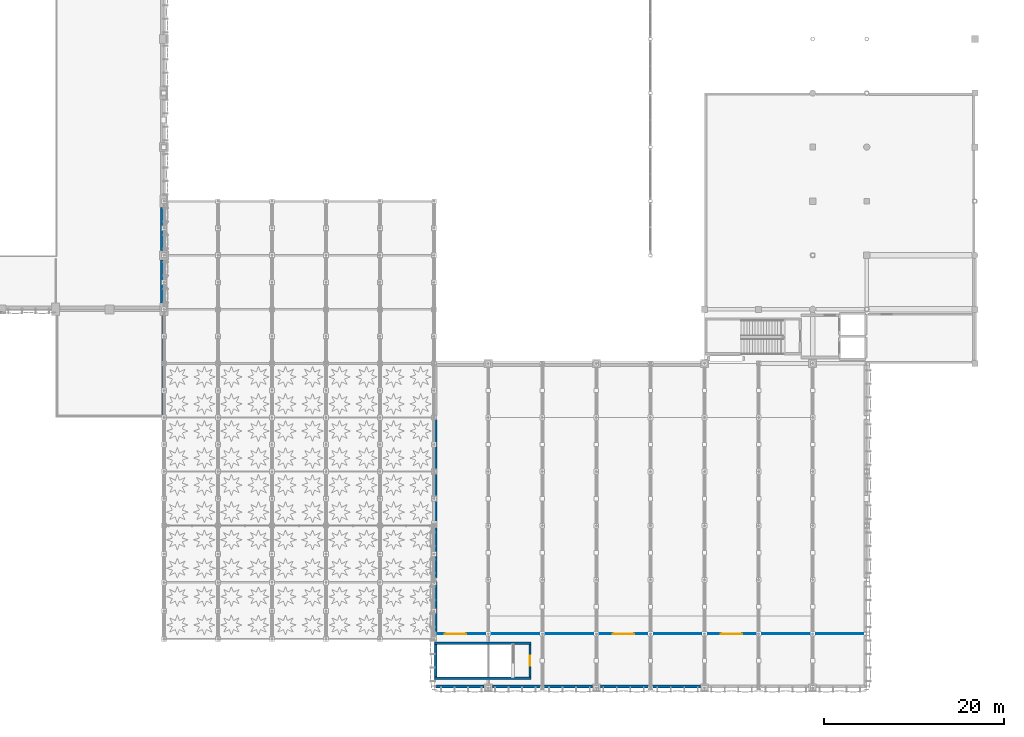
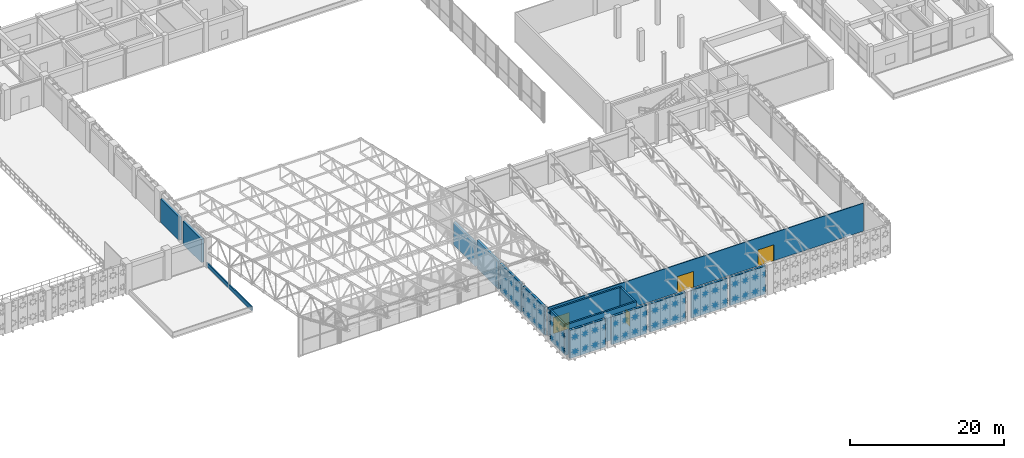
# One storey, part 96 of 123: 17 walls, 4 doors, 4 openings.
"""IFC4 building model written with IfcOpenShell, lengths in metres."""

from ifc_helpers import new_model, si_unit, direction, frame, frame_2d, origin, place, context, subcontext, project, spatial, rectangle, extrude, material, layer, layer_set, type_object, element, fill, save


model = new_model("IFC4")

# Units and contexts
model_context = context("Model", 3, precision=1e-05, world=origin(), true_north=direction((0.0, 1.0)))
body_context = subcontext(model_context, "Body", "Model", "MODEL_VIEW")
ifc_project = project(units=[si_unit("LENGTHUNIT", "METRE"), si_unit("AREAUNIT", "SQUARE_METRE"), si_unit("VOLUMEUNIT", "CUBIC_METRE"), si_unit("PLANEANGLEUNIT", "RADIAN"), si_unit("MASSUNIT", "GRAM", prefix="KILO"), si_unit("THERMODYNAMICTEMPERATUREUNIT", "KELVIN"), si_unit("POWERUNIT", "WATT")], contexts=[model_context])

# Site, building, storey
site_placement = place(None, origin())
site = spatial("IfcSite", under=ifc_project, at=site_placement, CompositionType="ELEMENT")
building_placement = place(site_placement, origin())
building = spatial("IfcBuilding", under=site, at=building_placement, Name="Phaisarnlok Congress Hotel", CompositionType="ELEMENT")
storey_placement = place(building_placement, frame((0.0, 0.0, 15.0)))
storey = spatial("IfcBuildingStorey", under=building, at=storey_placement, Name="L03", CompositionType="ELEMENT", Elevation=15.0)

# Walls
ifc_material_1 = material(Name="Concrete C40/50", Category="concrete")
ifc_layer_1 = layer(ifc_material_1, 0.320068359375, Name="Concrete C40/50")
ifc_layer_set_1 = layer_set([ifc_layer_1], Name="Concrete C40/50")
wall_type_1 = type_object("IfcWallType", Name="WL-EXT-320", PredefinedType="SOLIDWALL", material=ifc_layer_set_1)
for number, where, z_axis, x_axis, name in (
    (1, (96.2080078125, 0.159912109375, 0.0), (0.0, 0.0, 1.0), (1.0, 0.0, 0.0), "Exterior wall EW-02 (L03)"),
    (2, (102.455078125, 0.159912109375, 0.0), (0.0, 0.0, 1.0), (1.0, 0.0, 0.0), "Exterior wall EW-02 (L03)"),
    (3, (108.2080078125, 0.159912109375, 0.0), (0.0, 0.0, 1.0), (1.0, 0.0, 0.0), "Exterior wall EW-02 (L03)"),
    (4, (114.455078125, 0.159912109375, 0.0), (0.0, 0.0, 1.0), (1.0, 0.0, 0.0), "Exterior wall EW-02 (L03)"),
    (5, (120.2080078125, 0.159912109375, 0.0), (0.0, 0.0, 1.0), (1.0, 0.0, 0.0), "Exterior wall EW-02 (L03)"),
):
    element("IfcWall", number, at=place(storey_placement, frame(where, z_axis=z_axis, x_axis=x_axis)), inside=storey, type_object=wall_type_1, Name=name, PredefinedType="SOLIDWALL", context=body_context, shape_type="SweptSolid", body=[
        extrude(rectangle(XDim=5.3369140625, YDim=0.320068359375, at=frame_2d((2.66845703125, 0.0))), origin(), (0.0, 0.0, 1.0), 4.449951171875),
    ])
wall_1_placement = place(storey_placement, frame((96.159912109375, 29.787109375, 0.0), z_axis=(0.0, 0.0, 1.0), x_axis=(0.0, -1.0, 0.0)))
element("IfcWall", 6, at=wall_1_placement, inside=storey, type_object=wall_type_1, Name="Exterior wall EW-02 (L03)", PredefinedType="SOLIDWALL", context=body_context, shape_type="SweptSolid", body=[
    extrude(rectangle(XDim=5.57421875, YDim=0.320068359375, at=frame_2d((2.787109375, 0.0))), origin(), (0.0, 0.0, 1.0), 3.699951171875),
])
for number, where, z_axis, x_axis, name in (
    (7, (96.159912109375, 23.787109375, 0.0), (0.0, 0.0, 1.0), (0.0, -1.0, 0.0), "Exterior wall EW-02 (L03)"),
    (8, (96.159912109375, 17.787109375, 0.0), (0.0, 0.0, 1.0), (0.0, -1.0, 0.0), "Exterior wall EW-02 (L03)"),
    (9, (96.159912109375, 11.787109375, 0.0), (0.0, 0.0, 1.0), (0.0, -1.0, 0.0), "Exterior wall EW-02 (L03)"),
):
    element("IfcWall", number, at=place(storey_placement, frame(where, z_axis=z_axis, x_axis=x_axis)), inside=storey, type_object=wall_type_1, Name=name, PredefinedType="SOLIDWALL", context=body_context, shape_type="SweptSolid", body=[
        extrude(rectangle(XDim=5.57421875, YDim=0.320068359375, at=frame_2d((2.787109375, 0.0))), origin(), (0.0, 0.0, 1.0), 4.449951171875),
    ])
ifc_layer_2 = layer(ifc_material_1, 0.360107421875, Name="Concrete C40/50")
ifc_layer_set_2 = layer_set([ifc_layer_2], Name="Concrete C40/50")
wall_type_2 = type_object("IfcWallType", Name="WL-EXT-360", PredefinedType="SOLIDWALL", material=ifc_layer_set_2)
for number, where, z_axis, x_axis, name in (
    (10, (65.820068359375, 42.705078125, 0.0), (0.0, 0.0, 1.0), (0.0, 1.0, 0.0), "Exterior wall EW-01 (L03)"),
    (11, (65.820068359375, 48.5048828125, 0.0), (0.0, 0.0, 1.0), (0.0, 1.0, 0.0), "Exterior wall EW-01 (L03)"),
):
    element("IfcWall", number, at=place(storey_placement, frame(where, z_axis=z_axis, x_axis=x_axis)), inside=storey, type_object=wall_type_2, Name=name, PredefinedType="SOLIDWALL", context=body_context, shape_type="SweptSolid", body=[
        extrude(rectangle(XDim=4.7900390625, YDim=0.360107421875, at=frame_2d((2.39501953125, 0.0))), origin(), (0.0, 0.0, 1.0), 3.699951171875),
    ])

# Wall, openings, doors
ifc_material_2 = material(Name="Service Riser Shaftwall Partition", Category="gypsum")
ifc_layer_3 = layer(ifc_material_2, 0.10498046875, Name="Service Riser Shaftwall Partition")
ifc_layer_set_3 = layer_set([ifc_layer_3], Name="Service Riser Shaftwall Partition")
wall_type_3 = type_object("IfcWallType", Name="WL-INT-105", PredefinedType="PARTITIONING", material=ifc_layer_set_3)
wall_2_placement = place(storey_placement, frame((96.3701171875, 6.0, 0.0), z_axis=(0.0, 0.0, 1.0), x_axis=(1.0, 0.0, 0.0)))
wall_2 = element("IfcWall", 12, at=wall_2_placement, inside=storey, type_object=wall_type_3, Name="Interior partition wall IW-08 (L03)", PredefinedType="PARTITIONING", context=body_context, shape_type="SweptSolid", body=[
    extrude(rectangle(XDim=47.259765625, YDim=0.10498046875, at=frame_2d((23.6298828125, 0.0))), origin(), (0.0, 0.0, 1.0), 4.449951171875),
])
opening_1_placement = place(wall_2_placement, frame((19.429931640625, 0.0, 0.0)))
opening_1 = element("IfcOpeningElement", 13, at=opening_1_placement, cuts=wall_2, Name="Opening D-0110", PredefinedType="OPENING", context=body_context, shape_type="SweptSolid", body=[
    extrude(rectangle(XDim=2.39990234375, YDim=2.550048828125, at=frame_2d((1.199951171875, 1.27490234375))), frame((0.0, 0.0625, 0.0), z_axis=(0.0, -1.0, 0.0), x_axis=(1.0, 0.0, 0.0)), (0.0, 0.0, 1.0), 0.125),
])
opening_2_placement = place(wall_2_placement, frame((31.429931640625, 0.0, 0.0)))
opening_2 = element("IfcOpeningElement", 14, at=opening_2_placement, cuts=wall_2, Name="Opening D-0111", PredefinedType="OPENING", context=body_context, shape_type="SweptSolid", body=[
    extrude(rectangle(XDim=2.39990234375, YDim=2.550048828125, at=frame_2d((1.199951171875, 1.27490234375))), frame((0.0, 0.0625, 0.0), z_axis=(0.0, -1.0, 0.0), x_axis=(1.0, 0.0, 0.0)), (0.0, 0.0, 1.0), 0.125),
])
opening_3_placement = place(wall_2_placement, frame((0.800048828125, 0.0, 0.0)))
opening_3 = element("IfcOpeningElement", 15, at=opening_3_placement, cuts=wall_2, Name="Opening D-0125", PredefinedType="OPENING", context=body_context, shape_type="SweptSolid", body=[
    extrude(rectangle(XDim=2.39990234375, YDim=2.550048828125, at=frame_2d((1.199951171875, 1.27490234375))), frame((0.0, 0.0625, 0.0), z_axis=(0.0, -1.0, 0.0), x_axis=(1.0, 0.0, 0.0)), (0.0, 0.0, 1.0), 0.125),
])
ifc_material_3 = material(Name="Acoustic Ballroom Double Door", Category="wood")
door_type_1 = type_object("IfcDoorType", Name="DR-HALL-2400", OperationType="DOUBLE_DOOR_SINGLE_SWING", PredefinedType="DOOR", material=ifc_material_3)
door_1_placement = place(opening_1_placement, origin())
door_1 = element("IfcDoor", 16, at=door_1_placement, inside=storey, type_object=door_type_1, Name="Interior door D-0110 (L03)", OperationType="DOUBLE_DOOR_SINGLE_SWING", OverallHeight=2.550048828125, OverallWidth=2.39990234375, PredefinedType="DOOR", context=body_context, shape_type="SweptSolid", body=[
    extrude(rectangle(XDim=2.39990234375, YDim=2.550048828125, at=frame_2d((1.199951171875, 1.27490234375))), frame((0.0, 0.02490234375, 0.0), z_axis=(0.0, -1.0, 0.0), x_axis=(1.0, 0.0, 0.0)), (0.0, 0.0, 1.0), 0.050048828125),
])
fill(opening_1, door_1)
door_2_placement = place(opening_2_placement, origin())
door_2 = element("IfcDoor", 17, at=door_2_placement, inside=storey, type_object=door_type_1, Name="Interior door D-0111 (L03)", OperationType="DOUBLE_DOOR_SINGLE_SWING", OverallHeight=2.550048828125, OverallWidth=2.39990234375, PredefinedType="DOOR", context=body_context, shape_type="SweptSolid", body=[
    extrude(rectangle(XDim=2.39990234375, YDim=2.550048828125, at=frame_2d((1.199951171875, 1.27490234375))), frame((0.0, 0.02490234375, 0.0), z_axis=(0.0, -1.0, 0.0), x_axis=(1.0, 0.0, 0.0)), (0.0, 0.0, 1.0), 0.050048828125),
])
fill(opening_2, door_2)
door_3_placement = place(opening_3_placement, origin())
door_3 = element("IfcDoor", 18, at=door_3_placement, inside=storey, type_object=door_type_1, Name="Interior door D-0125 (L03)", OperationType="DOUBLE_DOOR_SINGLE_SWING", OverallHeight=2.550048828125, OverallWidth=2.39990234375, PredefinedType="DOOR", context=body_context, shape_type="SweptSolid", body=[
    extrude(rectangle(XDim=2.39990234375, YDim=2.550048828125, at=frame_2d((1.199951171875, 1.27490234375))), frame((0.0, 0.02490234375, 0.0), z_axis=(0.0, -1.0, 0.0), x_axis=(1.0, 0.0, 0.0)), (0.0, 0.0, 1.0), 0.050048828125),
])
fill(opening_3, door_3)

# Walls
ifc_layer_4 = layer(ifc_material_1, 0.169921875, Name="Concrete C40/50")
ifc_layer_set_4 = layer_set([ifc_layer_4], Name="Concrete C40/50")
wall_type_4 = type_object("IfcWallType", Name="WL-PAR-170", PredefinedType="PARAPET", material=ifc_layer_set_4)
wall_3_placement = place(storey_placement, frame((65.909912109375, 30.090087890625, 0.0), z_axis=(0.0, 0.0, 1.0), x_axis=(0.0, 1.0, 0.0)))
element("IfcWall", 19, at=wall_3_placement, inside=storey, type_object=wall_type_4, Name="Podium roof parapet WP-02 (L03)", PredefinedType="PARAPET", context=body_context, shape_type="SweptSolid", body=[
    extrude(rectangle(XDim=11.60986328125, YDim=0.169921875, at=frame_2d((5.804931640625, 0.0))), origin(), (0.0, 0.0, 1.0), 0.64990234375),
])
ifc_material_4 = material(Name="Concrete C50/60", Category="concrete")
ifc_layer_5 = layer(ifc_material_4, 0.260009765625, Name="Concrete C50/60")
ifc_layer_set_5 = layer_set([ifc_layer_5], Name="Concrete C50/60")
wall_type_5 = type_object("IfcWallType", Name="WL-SHR-260", PredefinedType="SHEAR", material=ifc_layer_set_5)
for number, where, z_axis, x_axis, name in (
    (20, (96.0400390625, 1.070068359375, 0.0), (0.0, 0.0, 1.0), (1.0, 0.0, 0.0), "Stair shaft shear wall SW-04 (STAIR-S L03)"),
    (21, (96.0400390625, 4.929931640625, 0.0), (0.0, 0.0, 1.0), (1.0, 0.0, 0.0), "Stair shaft shear wall SW-04 (STAIR-S L03)"),
):
    element("IfcWall", number, at=place(storey_placement, frame(where, z_axis=z_axis, x_axis=x_axis)), inside=storey, type_object=wall_type_5, Name=name, PredefinedType="SHEAR", context=body_context, shape_type="SweptSolid", body=[
        extrude(rectangle(XDim=10.719970703125, YDim=0.260009765625, at=frame_2d((5.35986328125, 0.0))), origin(), (0.0, 0.0, 1.0), 4.800048828125),
    ])

# Wall, opening, door
wall_4_placement = place(storey_placement, frame((106.6298828125, 1.199951171875, 0.0), z_axis=(0.0, 0.0, 1.0), x_axis=(0.0, 1.0, 0.0)))
wall_4 = element("IfcWall", 22, at=wall_4_placement, inside=storey, type_object=wall_type_5, Name="Stair shaft shear wall SW-04 (STAIR-S L03)", PredefinedType="SHEAR", context=body_context, shape_type="SweptSolid", body=[
    extrude(rectangle(XDim=3.60009765625, YDim=0.260009765625, at=frame_2d((1.800048828125, 0.0))), origin(), (0.0, 0.0, 1.0), 4.800048828125),
])
opening_4_placement = place(wall_4_placement, frame((1.25, 0.0, 0.0)))
opening_4 = element("IfcOpeningElement", 23, at=opening_4_placement, cuts=wall_4, Name="Opening FD-174", PredefinedType="OPENING", context=body_context, shape_type="SweptSolid", body=[
    extrude(rectangle(XDim=1.10009765625, YDim=2.14990234375, at=frame_2d((0.550048828125, 1.074951171875))), frame((0.0, 0.14013671875, 0.0), z_axis=(0.0, -1.0, 0.0), x_axis=(1.0, 0.0, 0.0)), (0.0, 0.0, 1.0), 0.280029296875),
])
ifc_material_5 = material(Name="Fire-Rated Steel Frame & Timber Leaf", Category="steel")
door_type_2 = type_object("IfcDoorType", Name="DR-FD60-1100", OperationType="NOTDEFINED", PredefinedType="DOOR", material=ifc_material_5)
door_4_placement = place(opening_4_placement, origin())
door_4 = element("IfcDoor", 24, at=door_4_placement, inside=storey, type_object=door_type_2, Name="Stair enclosure fire door FD-174 (L03)", OperationType="SINGLE_SWING_LEFT", OverallHeight=2.14990234375, OverallWidth=1.10009765625, PredefinedType="DOOR", context=body_context, shape_type="SweptSolid", body=[
    extrude(rectangle(XDim=1.10009765625, YDim=2.14990234375, at=frame_2d((0.550048828125, 1.074951171875))), frame((0.0, 0.02490234375, 0.0), z_axis=(0.0, -1.0, 0.0), x_axis=(1.0, 0.0, 0.0)), (0.0, 0.0, 1.0), 0.050048828125),
])
fill(opening_4, door_4)

# Wall
ifc_layer_6 = layer(ifc_material_4, 0.260009765625, Name="Concrete C50/60")
ifc_layer_set_6 = layer_set([ifc_layer_6], Name="Concrete C50/60")
wall_type_6 = type_object("IfcWallType", Name="WL-SHR-260-EXT", PredefinedType="SHEAR", material=ifc_layer_set_6)
wall_5_placement = place(storey_placement, frame((96.169921875, 1.199951171875, 0.0), z_axis=(0.0, 0.0, 1.0), x_axis=(0.0, 1.0, 0.0)))
element("IfcWall", 25, at=wall_5_placement, inside=storey, type_object=wall_type_6, Name="Stair shaft shear wall SW-04E (STAIR-S L03)", PredefinedType="SHEAR", context=body_context, shape_type="SweptSolid", body=[
    extrude(rectangle(XDim=3.60009765625, YDim=0.260009765625, at=frame_2d((1.800048828125, 0.0))), origin(), (0.0, 0.0, 1.0), 4.800048828125),
])

save(model, "model.ifc")
